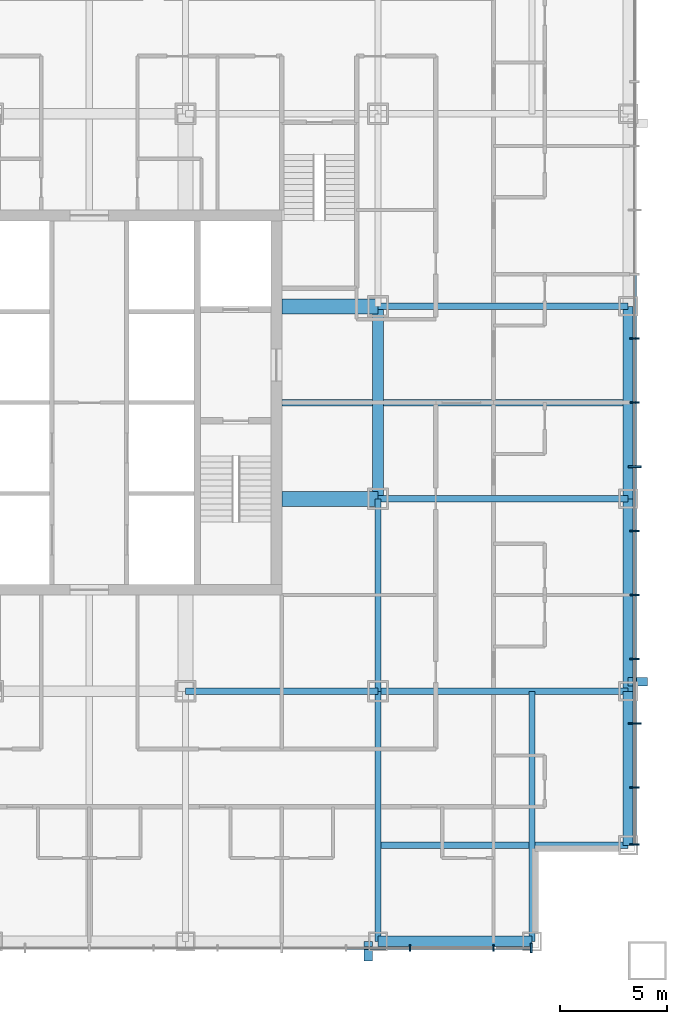
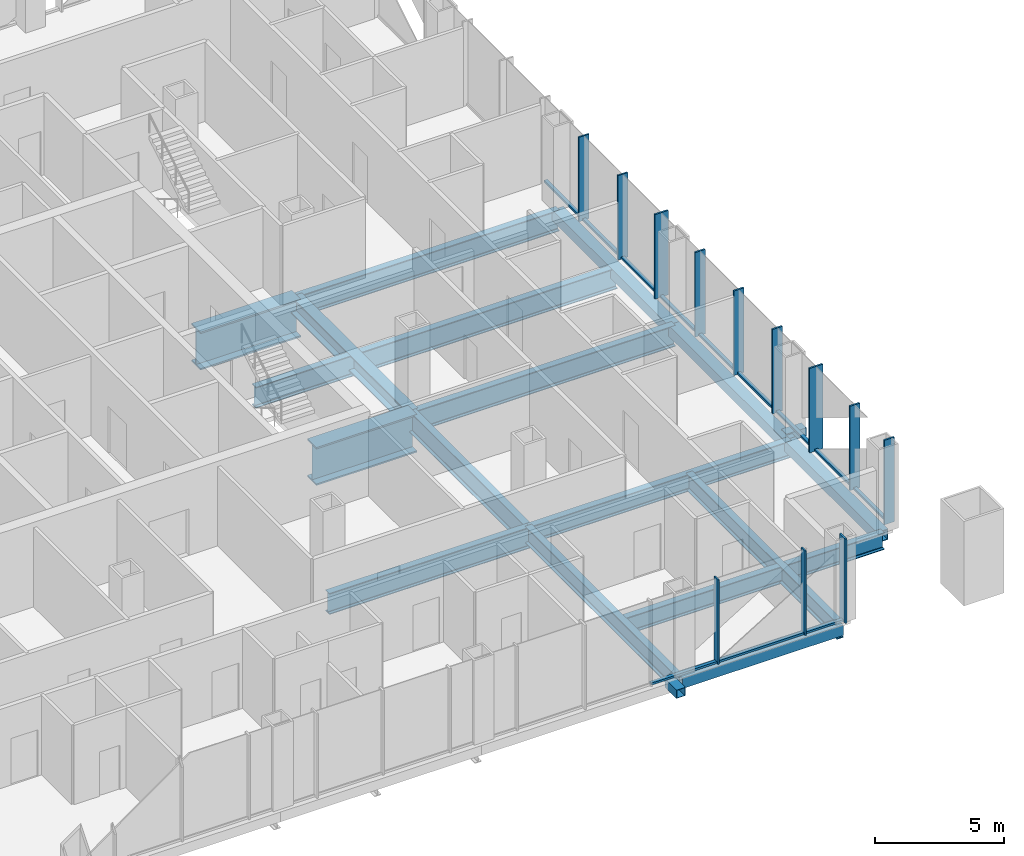
# One storey, part 3 of 17: 26 members, 16 beams, 2 elements without a shape of their own.
"""IFC4 building model written with IfcOpenShell, lengths in metres."""

from ifc_helpers import new_model, si_unit, direction, frame, origin, origin_2d, place, context, subcontext, project, spatial, rectangle, hollow_rectangle, i_section, extrude, material, layer, layer_set, material_profile, profile_set, type_object, element, aggregate, save


model = new_model("IFC4")

# Units and contexts
model_context = context("Model", 3, precision=1e-05, world=origin(), true_north=direction((0.0, 1.0)))
body_context = subcontext(model_context, "Body", "Model", "MODEL_VIEW")
ifc_project = project(units=[si_unit("LENGTHUNIT", "METRE"), si_unit("AREAUNIT", "SQUARE_METRE"), si_unit("VOLUMEUNIT", "CUBIC_METRE"), si_unit("PLANEANGLEUNIT", "RADIAN"), si_unit("MASSUNIT", "GRAM", prefix="KILO")], contexts=[model_context])

# Site, building, storey
site_placement = place(None, origin())
site = spatial("IfcSite", under=ifc_project, at=site_placement, CompositionType="ELEMENT")
building_placement = place(site_placement, origin())
building = spatial("IfcBuilding", under=site, at=building_placement, Name="Malebo Sky Hospital", CompositionType="ELEMENT")
storey_placement = place(building_placement, frame((0.0, 0.0, 55.0)))
storey = spatial("IfcBuildingStorey", under=building, at=storey_placement, Name="L12", CompositionType="ELEMENT", Elevation=55.0)

# Curtain wall, members
ifc_material_1 = material(Name="Anodised aluminium, natural silver", Category="aluminium")
ifc_layer_1 = layer(ifc_material_1, 0.25)
ifc_layer_set_1 = layer_set([ifc_layer_1], Name="WARD CURTAIN WALL NORTH AND SOUTH")
curtain_wall_type_1 = type_object("IfcCurtainWallType", Name="WARD CURTAIN WALL NORTH AND SOUTH", PredefinedType="NOTDEFINED", material=ifc_layer_set_1)
curtain_wall_1_placement = place(storey_placement, origin())
curtain_wall_1 = element("IfcCurtainWall", 1, at=curtain_wall_1_placement, inside=storey, type_object=curtain_wall_type_1, Name="NS curtain wall S", PredefinedType="NOTDEFINED")
ifc_material_profile_1 = material_profile(ifc_material_1, rectangle(XDim=0.14990234375, YDim=0.10009765625, at=origin_2d()), Name="ALUMINIUM TRANSOM 150x100")
ifc_profile_set_1 = profile_set([ifc_material_profile_1], Name="Anodised aluminium, natural silver")
member_type_1 = type_object("IfcMemberType", Name="ALUMINIUM TRANSOM 150x100", PredefinedType="USERDEFINED", material=ifc_profile_set_1)
member_1_placement = place(storey_placement, frame((80.625, 36.5, 0.050048828125), z_axis=(-1.0, 0.0, 0.0), x_axis=(0.0, -1.0, 0.0)))
member_1 = element("IfcMember", 2, at=member_1_placement, type_object=member_type_1, Name="Transom 1", ObjectType="TRANSOM", PredefinedType="USERDEFINED", context=body_context, shape_type="SweptSolid", body=[
    extrude(rectangle(XDim=0.14990234375, YDim=0.10009765625, at=origin_2d()), origin(), (0.0, 0.0, 1.0), 1.6875),
])
member_2_placement = place(storey_placement, frame((78.862548828125, 36.5, 0.050048828125), z_axis=(-1.0, 0.0, 0.0), x_axis=(0.0, -1.0, 0.0)))
member_2 = element("IfcMember", 3, at=member_2_placement, type_object=member_type_1, Name="Transom 2", ObjectType="TRANSOM", PredefinedType="USERDEFINED", context=body_context, shape_type="SweptSolid", body=[
    extrude(rectangle(XDim=0.14990234375, YDim=0.10009765625, at=origin_2d()), origin(), (0.0, 0.0, 1.0), 3.824951171875),
])
member_3_placement = place(storey_placement, frame((74.96240234375, 36.5, 0.050048828125), z_axis=(-1.0, 0.0, 0.0), x_axis=(0.0, -1.0, 0.0)))
member_3 = element("IfcMember", 4, at=member_3_placement, type_object=member_type_1, Name="Transom 3", ObjectType="TRANSOM", PredefinedType="USERDEFINED", context=body_context, shape_type="SweptSolid", body=[
    extrude(rectangle(XDim=0.14990234375, YDim=0.10009765625, at=origin_2d()), origin(), (0.0, 0.0, 1.0), 2.9248046875),
])

ifc_layer_2 = layer(ifc_material_1, 0.25)
ifc_layer_set_2 = layer_set([ifc_layer_2], Name="WARD CURTAIN WALL EAST AND WEST")
curtain_wall_type_2 = type_object("IfcCurtainWallType", Name="WARD CURTAIN WALL EAST AND WEST", PredefinedType="NOTDEFINED", material=ifc_layer_set_2)
curtain_wall_2_placement = place(storey_placement, origin())
curtain_wall_2 = element("IfcCurtainWall", 5, at=curtain_wall_2_placement, inside=storey, type_object=curtain_wall_type_2, Name="EW curtain wall E", PredefinedType="NOTDEFINED")
member_4_placement = place(storey_placement, frame((85.5, 67.96240234375, 0.050048828125), z_axis=(0.0, -1.0, 0.0), x_axis=(1.0, 0.0, 0.0)))
member_4 = element("IfcMember", 6, at=member_4_placement, type_object=member_type_1, Name="Transom 6", ObjectType="TRANSOM", PredefinedType="USERDEFINED", context=body_context, shape_type="SweptSolid", body=[
    extrude(rectangle(XDim=0.14990234375, YDim=0.10009765625, at=origin_2d()), origin(), (0.0, 0.0, 1.0), 2.9248046875),
])
member_5_placement = place(storey_placement, frame((85.5, 64.96240234375, 0.050048828125), z_axis=(0.0, -1.0, 0.0), x_axis=(1.0, 0.0, 0.0)))
member_5 = element("IfcMember", 7, at=member_5_placement, type_object=member_type_1, Name="Transom 7", ObjectType="TRANSOM", PredefinedType="USERDEFINED", context=body_context, shape_type="SweptSolid", body=[
    extrude(rectangle(XDim=0.14990234375, YDim=0.10009765625, at=origin_2d()), origin(), (0.0, 0.0, 1.0), 2.9248046875),
])
member_6_placement = place(storey_placement, frame((85.5, 61.96240234375, 0.050048828125), z_axis=(0.0, -1.0, 0.0), x_axis=(1.0, 0.0, 0.0)))
member_6 = element("IfcMember", 8, at=member_6_placement, type_object=member_type_1, Name="Transom 8", ObjectType="TRANSOM", PredefinedType="USERDEFINED", context=body_context, shape_type="SweptSolid", body=[
    extrude(rectangle(XDim=0.14990234375, YDim=0.10009765625, at=origin_2d()), origin(), (0.0, 0.0, 1.0), 2.9248046875),
])
member_7_placement = place(storey_placement, frame((85.5, 58.96240234375, 0.050048828125), z_axis=(0.0, -1.0, 0.0), x_axis=(1.0, 0.0, 0.0)))
member_7 = element("IfcMember", 9, at=member_7_placement, type_object=member_type_1, Name="Transom 9", ObjectType="TRANSOM", PredefinedType="USERDEFINED", context=body_context, shape_type="SweptSolid", body=[
    extrude(rectangle(XDim=0.14990234375, YDim=0.10009765625, at=origin_2d()), origin(), (0.0, 0.0, 1.0), 2.9248046875),
])
member_8_placement = place(storey_placement, frame((85.5, 55.96240234375, 0.050048828125), z_axis=(0.0, -1.0, 0.0), x_axis=(1.0, 0.0, 0.0)))
member_8 = element("IfcMember", 10, at=member_8_placement, type_object=member_type_1, Name="Transom 10", ObjectType="TRANSOM", PredefinedType="USERDEFINED", context=body_context, shape_type="SweptSolid", body=[
    extrude(rectangle(XDim=0.14990234375, YDim=0.10009765625, at=origin_2d()), origin(), (0.0, 0.0, 1.0), 2.9248046875),
])
member_9_placement = place(storey_placement, frame((85.5, 52.96240234375, 0.050048828125), z_axis=(0.0, -1.0, 0.0), x_axis=(1.0, 0.0, 0.0)))
member_9 = element("IfcMember", 11, at=member_9_placement, type_object=member_type_1, Name="Transom 11", ObjectType="TRANSOM", PredefinedType="USERDEFINED", context=body_context, shape_type="SweptSolid", body=[
    extrude(rectangle(XDim=0.14990234375, YDim=0.10009765625, at=origin_2d()), origin(), (0.0, 0.0, 1.0), 2.9248046875),
])
member_10_placement = place(storey_placement, frame((85.5, 49.96240234375, 0.050048828125), z_axis=(0.0, -1.0, 0.0), x_axis=(1.0, 0.0, 0.0)))
member_10 = element("IfcMember", 12, at=member_10_placement, type_object=member_type_1, Name="Transom 12", ObjectType="TRANSOM", PredefinedType="USERDEFINED", context=body_context, shape_type="SweptSolid", body=[
    extrude(rectangle(XDim=0.14990234375, YDim=0.10009765625, at=origin_2d()), origin(), (0.0, 0.0, 1.0), 2.9248046875),
])
member_11_placement = place(storey_placement, frame((85.5, 46.96240234375, 0.050048828125), z_axis=(0.0, -1.0, 0.0), x_axis=(1.0, 0.0, 0.0)))
member_11 = element("IfcMember", 13, at=member_11_placement, type_object=member_type_1, Name="Transom 13", ObjectType="TRANSOM", PredefinedType="USERDEFINED", context=body_context, shape_type="SweptSolid", body=[
    extrude(rectangle(XDim=0.14990234375, YDim=0.10009765625, at=origin_2d()), origin(), (0.0, 0.0, 1.0), 2.9248046875),
])
member_12_placement = place(storey_placement, frame((85.5, 43.96240234375, 0.050048828125), z_axis=(0.0, -1.0, 0.0), x_axis=(1.0, 0.0, 0.0)))
member_12 = element("IfcMember", 14, at=member_12_placement, type_object=member_type_1, Name="Transom 14", ObjectType="TRANSOM", PredefinedType="USERDEFINED", context=body_context, shape_type="SweptSolid", body=[
    extrude(rectangle(XDim=0.14990234375, YDim=0.10009765625, at=origin_2d()), origin(), (0.0, 0.0, 1.0), 2.58740234375),
])

# Members
ifc_material_2 = material(Name="Steel S355", Category="steel")
ifc_material_profile_2 = material_profile(ifc_material_2, hollow_rectangle(XDim=0.39990234375, YDim=0.39990234375, WallThickness=0.02001953125, at=origin_2d()), Name="SHS 400x20")
ifc_profile_set_2 = profile_set([ifc_material_profile_2], Name="Steel S355")
member_type_2 = type_object("IfcMemberType", Name="BRACE STRUT SHS 400x20", PredefinedType="STRUT", material=ifc_profile_set_2)
for number, where, z_axis, x_axis, name in (
    (15, (73.050048828125, 35.89990234375, -0.39990234375), (0.0, 1.0, 0.0), (-1.0, 0.0, 0.0), "Brace strut AS1 L12"),
    (16, (86.10009765625, 48.949951171875, -0.39990234375), (-1.0, 0.0, 0.0), (0.0, -1.0, 0.0), "Brace strut AE2 L12"),
):
    element("IfcMember", number, at=place(storey_placement, frame(where, z_axis=z_axis, x_axis=x_axis)), inside=storey, type_object=member_type_2, Name=name, PredefinedType="STRUT", context=body_context, shape_type="SweptSolid", body=[
        extrude(hollow_rectangle(XDim=0.39990234375, YDim=0.39990234375, WallThickness=0.02001953125, at=origin_2d()), origin(), (0.0, 0.0, 1.0), 0.900146484375),
    ])

# Member
ifc_material_profile_3 = material_profile(ifc_material_1, rectangle(XDim=0.074951171875, YDim=0.300048828125, at=origin_2d()), Name="CW1 ALUMINIUM FIN MULLION 75x300")
ifc_profile_set_3 = profile_set([ifc_material_profile_3], Name="Anodised aluminium, natural silver")
member_type_3 = type_object("IfcMemberType", Name="CW1 ALUMINIUM FIN MULLION 75x300", PredefinedType="MULLION", material=ifc_profile_set_3)
member_13_placement = place(storey_placement, frame((78.89990234375, 36.5, 0.0), z_axis=(0.0, 0.0, 1.0), x_axis=(-1.0, 0.0, 0.0)))
member_13 = element("IfcMember", 17, at=member_13_placement, type_object=member_type_3, Name="Fin mullion 2", PredefinedType="MULLION", context=body_context, shape_type="SweptSolid", body=[
    extrude(rectangle(XDim=0.074951171875, YDim=0.300048828125, at=origin_2d()), origin(), (0.0, 0.0, 1.0), 4.0),
])

member_14_placement = place(storey_placement, frame((75.0, 36.5, 0.0), z_axis=(0.0, 0.0, 1.0), x_axis=(-1.0, 0.0, 0.0)))
member_14 = element("IfcMember", 18, at=member_14_placement, type_object=member_type_3, Name="Fin mullion 3", PredefinedType="MULLION", context=body_context, shape_type="SweptSolid", body=[
    extrude(rectangle(XDim=0.074951171875, YDim=0.300048828125, at=origin_2d()), origin(), (0.0, 0.0, 1.0), 4.0),
])

ifc_material_profile_4 = material_profile(ifc_material_1, rectangle(XDim=0.074951171875, YDim=0.449951171875, at=origin_2d()), Name="CW1 ALUMINIUM FIN MULLION 75x450")
ifc_profile_set_4 = profile_set([ifc_material_profile_4], Name="Anodised aluminium, natural silver")
member_type_4 = type_object("IfcMemberType", Name="CW1 ALUMINIUM FIN MULLION 75x450", PredefinedType="MULLION", material=ifc_profile_set_4)
member_15_placement = place(storey_placement, frame((80.66259765625, 36.5, 0.0), z_axis=(0.0, 0.0, 1.0), x_axis=(-1.0, 0.0, 0.0)))
member_15 = element("IfcMember", 19, at=member_15_placement, type_object=member_type_4, Name="Fin mullion 1", PredefinedType="MULLION", context=body_context, shape_type="SweptSolid", body=[
    extrude(rectangle(XDim=0.074951171875, YDim=0.449951171875, at=origin_2d()), origin(), (0.0, 0.0, 1.0), 4.0),
])

aggregate(curtain_wall_1, [member_15, member_13, member_14, member_1, member_2, member_3])

ifc_material_profile_5 = material_profile(ifc_material_1, rectangle(XDim=0.074951171875, YDim=0.449951171875, at=origin_2d()), Name="CW2 ALUMINIUM FIN MULLION 75x450")
ifc_profile_set_5 = profile_set([ifc_material_profile_5], Name="Anodised aluminium, natural silver")
member_type_5 = type_object("IfcMemberType", Name="CW2 ALUMINIUM FIN MULLION 75x450", PredefinedType="MULLION", material=ifc_profile_set_5)
member_16_placement = place(storey_placement, frame((85.5, 65.0, 0.0), z_axis=(0.0, 0.0, 1.0), x_axis=(0.0, -1.0, 0.0)))
member_16 = element("IfcMember", 20, at=member_16_placement, type_object=member_type_5, Name="Fin mullion 7", PredefinedType="MULLION", context=body_context, shape_type="SweptSolid", body=[
    extrude(rectangle(XDim=0.074951171875, YDim=0.449951171875, at=origin_2d()), origin(), (0.0, 0.0, 1.0), 4.0),
])

member_17_placement = place(storey_placement, frame((85.5, 62.0, 0.0), z_axis=(0.0, 0.0, 1.0), x_axis=(0.0, -1.0, 0.0)))
member_17 = element("IfcMember", 21, at=member_17_placement, type_object=member_type_5, Name="Fin mullion 8", PredefinedType="MULLION", context=body_context, shape_type="SweptSolid", body=[
    extrude(rectangle(XDim=0.074951171875, YDim=0.449951171875, at=origin_2d()), origin(), (0.0, 0.0, 1.0), 4.0),
])

member_18_placement = place(storey_placement, frame((85.5, 56.0, 0.0), z_axis=(0.0, 0.0, 1.0), x_axis=(0.0, -1.0, 0.0)))
member_18 = element("IfcMember", 22, at=member_18_placement, type_object=member_type_5, Name="Fin mullion 10", PredefinedType="MULLION", context=body_context, shape_type="SweptSolid", body=[
    extrude(rectangle(XDim=0.074951171875, YDim=0.449951171875, at=origin_2d()), origin(), (0.0, 0.0, 1.0), 4.0),
])

member_19_placement = place(storey_placement, frame((85.5, 53.0, 0.0), z_axis=(0.0, 0.0, 1.0), x_axis=(0.0, -1.0, 0.0)))
member_19 = element("IfcMember", 23, at=member_19_placement, type_object=member_type_5, Name="Fin mullion 11", PredefinedType="MULLION", context=body_context, shape_type="SweptSolid", body=[
    extrude(rectangle(XDim=0.074951171875, YDim=0.449951171875, at=origin_2d()), origin(), (0.0, 0.0, 1.0), 4.0),
])

member_20_placement = place(storey_placement, frame((85.5, 50.0, 0.0), z_axis=(0.0, 0.0, 1.0), x_axis=(0.0, -1.0, 0.0)))
member_20 = element("IfcMember", 24, at=member_20_placement, type_object=member_type_5, Name="Fin mullion 12", PredefinedType="MULLION", context=body_context, shape_type="SweptSolid", body=[
    extrude(rectangle(XDim=0.074951171875, YDim=0.449951171875, at=origin_2d()), origin(), (0.0, 0.0, 1.0), 4.0),
])

member_21_placement = place(storey_placement, frame((85.5, 44.0, 0.0), z_axis=(0.0, 0.0, 1.0), x_axis=(0.0, -1.0, 0.0)))
member_21 = element("IfcMember", 25, at=member_21_placement, type_object=member_type_5, Name="Fin mullion 14", PredefinedType="MULLION", context=body_context, shape_type="SweptSolid", body=[
    extrude(rectangle(XDim=0.074951171875, YDim=0.449951171875, at=origin_2d()), origin(), (0.0, 0.0, 1.0), 4.0),
])

member_22_placement = place(storey_placement, frame((85.5, 41.33740234375, 0.0), z_axis=(0.0, 0.0, 1.0), x_axis=(0.0, -1.0, 0.0)))
member_22 = element("IfcMember", 26, at=member_22_placement, type_object=member_type_5, Name="Fin mullion 15", PredefinedType="MULLION", context=body_context, shape_type="SweptSolid", body=[
    extrude(rectangle(XDim=0.074951171875, YDim=0.449951171875, at=origin_2d()), origin(), (0.0, 0.0, 1.0), 4.0),
])

ifc_material_profile_6 = material_profile(ifc_material_1, rectangle(XDim=0.074951171875, YDim=0.60009765625, at=origin_2d()), Name="CW2 ALUMINIUM FIN MULLION 75x600")
ifc_profile_set_6 = profile_set([ifc_material_profile_6], Name="Anodised aluminium, natural silver")
member_type_6 = type_object("IfcMemberType", Name="CW2 ALUMINIUM FIN MULLION 75x600", PredefinedType="MULLION", material=ifc_profile_set_6)
member_23_placement = place(storey_placement, frame((85.5, 59.0, 0.0), z_axis=(0.0, 0.0, 1.0), x_axis=(0.0, -1.0, 0.0)))
member_23 = element("IfcMember", 27, at=member_23_placement, type_object=member_type_6, Name="Fin mullion 9", PredefinedType="MULLION", context=body_context, shape_type="SweptSolid", body=[
    extrude(rectangle(XDim=0.074951171875, YDim=0.60009765625, at=origin_2d()), origin(), (0.0, 0.0, 1.0), 4.0),
])

member_24_placement = place(storey_placement, frame((85.5, 47.0, 0.0), z_axis=(0.0, 0.0, 1.0), x_axis=(0.0, -1.0, 0.0)))
member_24 = element("IfcMember", 28, at=member_24_placement, type_object=member_type_6, Name="Fin mullion 13", PredefinedType="MULLION", context=body_context, shape_type="SweptSolid", body=[
    extrude(rectangle(XDim=0.074951171875, YDim=0.60009765625, at=origin_2d()), origin(), (0.0, 0.0, 1.0), 4.0),
])

aggregate(curtain_wall_2, [member_16, member_17, member_23, member_18, member_19, member_20, member_24, member_21, member_22, member_4, member_5, member_6, member_7, member_8, member_9, member_10, member_11, member_12])

# Beams
ifc_material_3 = material(Name="Steel S460", Category="steel")
ifc_material_profile_7 = material_profile(ifc_material_3, hollow_rectangle(XDim=0.5, YDim=0.5, WallThickness=0.030029296875, at=origin_2d()), Name="BOX 500x500x30")
ifc_profile_set_7 = profile_set([ifc_material_profile_7], Name="Steel S460")
beam_type_1 = type_object("IfcBeamType", Name="EDGE BEAM BOX 500x500x30", PredefinedType="BEAM", material=ifc_profile_set_7)
beam_1_placement = place(storey_placement, frame((85.199951171875, 41.300048828125, -0.5), z_axis=(0.0, 1.0, 0.0), x_axis=(-1.0, 0.0, 0.0)))
element("IfcBeam", 29, at=beam_1_placement, inside=storey, type_object=beam_type_1, Name="Beam 029 L12", PredefinedType="BEAM", context=body_context, shape_type="SweptSolid", body=[
    extrude(hollow_rectangle(XDim=0.5, YDim=0.5, WallThickness=0.030029296875, at=origin_2d()), origin(), (0.0, 0.0, 1.0), 7.199951171875),
])
for number, where, z_axis, x_axis, name in (
    (30, (85.199951171875, 48.5, -0.5), (0.0, 1.0, 0.0), (-1.0, 0.0, 0.0), "Beam 030 L12"),
    (31, (85.199951171875, 57.5, -0.5), (0.0, 1.0, 0.0), (-1.0, 0.0, 0.0), "Beam 031 L12"),
):
    element("IfcBeam", number, at=place(storey_placement, frame(where, z_axis=z_axis, x_axis=x_axis)), inside=storey, type_object=beam_type_1, Name=name, PredefinedType="BEAM", context=body_context, shape_type="SweptSolid", body=[
        extrude(hollow_rectangle(XDim=0.5, YDim=0.5, WallThickness=0.030029296875, at=origin_2d()), origin(), (0.0, 0.0, 1.0), 9.0),
    ])
beam_2_placement = place(storey_placement, frame((73.5, 36.800048828125, -0.5), z_axis=(1.0, 0.0, 0.0), x_axis=(0.0, 1.0, 0.0)))
element("IfcBeam", 32, at=beam_2_placement, inside=storey, type_object=beam_type_1, Name="Beam 038 L12", PredefinedType="BEAM", context=body_context, shape_type="SweptSolid", body=[
    extrude(hollow_rectangle(XDim=0.5, YDim=0.5, WallThickness=0.030029296875, at=origin_2d()), origin(), (0.0, 0.0, 1.0), 7.199951171875),
])
ifc_material_profile_8 = material_profile(ifc_material_2, i_section(OverallWidth=0.300048828125, OverallDepth=1.0, WebThickness=0.01904296875, FlangeThickness=0.035888671875, FilletRadius=0.030029296875, at=origin_2d()), Name="HEB 1000")
ifc_profile_set_8 = profile_set([ifc_material_profile_8], Name="Steel S355")
beam_type_2 = type_object("IfcBeamType", Name="FLOOR BEAM HEB 1000", PredefinedType="BEAM", material=ifc_profile_set_8)
for number, where, z_axis, x_axis, name in (
    (33, (73.5, 48.5, -0.75), (0.0, 1.0, 0.0), (-1.0, 0.0, 0.0), "Beam 023 L12"),
    (34, (64.5, 48.5, -0.75), (1.0, 0.0, 0.0), (0.0, 1.0, 0.0), "Beam 044 L12"),
):
    element("IfcBeam", number, at=place(storey_placement, frame(where, z_axis=z_axis, x_axis=x_axis)), inside=storey, type_object=beam_type_2, Name=name, PredefinedType="BEAM", context=body_context, shape_type="SweptSolid", body=[
        extrude(i_section(OverallWidth=0.300048828125, OverallDepth=1.0, WebThickness=0.01904296875, FlangeThickness=0.035888671875, FilletRadius=0.030029296875, at=origin_2d()), origin(), (0.0, 0.0, 1.0), 9.0),
    ])
beam_3_placement = place(storey_placement, frame((73.5, 57.5, -0.75), z_axis=(1.0, 0.0, 0.0), x_axis=(0.0, 1.0, 0.0)))
element("IfcBeam", 35, at=beam_3_placement, inside=storey, type_object=beam_type_2, Name="Beam 049 L12", PredefinedType="BEAM", context=body_context, shape_type="SweptSolid", body=[
    extrude(i_section(OverallWidth=0.300048828125, OverallDepth=1.0, WebThickness=0.01904296875, FlangeThickness=0.035888671875, FilletRadius=0.030029296875, at=origin_2d()), origin(), (0.0, 0.0, 1.0), 11.699951171875),
])
beam_4_placement = place(storey_placement, frame((69.0, 62.0, -0.75), z_axis=(1.0, 0.0, 0.0), x_axis=(0.0, 1.0, 0.0)))
element("IfcBeam", 36, at=beam_4_placement, inside=storey, type_object=beam_type_2, Name="Beam 051 L12", PredefinedType="BEAM", context=body_context, shape_type="SweptSolid", body=[
    extrude(i_section(OverallWidth=0.300048828125, OverallDepth=1.0, WebThickness=0.01904296875, FlangeThickness=0.035888671875, FilletRadius=0.030029296875, at=origin_2d()), origin(), (0.0, 0.0, 1.0), 16.199951171875),
])
beam_5_placement = place(storey_placement, frame((73.5, 66.5, -0.75), z_axis=(1.0, 0.0, 0.0), x_axis=(0.0, 1.0, 0.0)))
element("IfcBeam", 37, at=beam_5_placement, inside=storey, type_object=beam_type_2, Name="Beam 055 L12", PredefinedType="BEAM", context=body_context, shape_type="SweptSolid", body=[
    extrude(i_section(OverallWidth=0.300048828125, OverallDepth=1.0, WebThickness=0.01904296875, FlangeThickness=0.035888671875, FilletRadius=0.030029296875, at=origin_2d()), origin(), (0.0, 0.0, 1.0), 11.699951171875),
])
ifc_material_profile_9 = material_profile(ifc_material_2, i_section(OverallWidth=0.300048828125, OverallDepth=0.800048828125, WebThickness=0.017578125, FlangeThickness=0.032958984375, FilletRadius=0.030029296875, at=origin_2d()), Name="HEB 800")
ifc_profile_set_9 = profile_set([ifc_material_profile_9], Name="Steel S355")
beam_type_3 = type_object("IfcBeamType", Name="FLOOR BEAM HEB 800", PredefinedType="BEAM", material=ifc_profile_set_9)
for number, where, z_axis, x_axis, name in (
    (38, (80.699951171875, 36.800048828125, -0.64990234375), (0.0, 1.0, 0.0), (-1.0, 0.0, 0.0), "Beam 027 L12"),
    (39, (73.5, 41.300048828125, -0.64990234375), (1.0, 0.0, 0.0), (0.0, 1.0, 0.0), "Beam 040 L12"),
):
    element("IfcBeam", number, at=place(storey_placement, frame(where, z_axis=z_axis, x_axis=x_axis)), inside=storey, type_object=beam_type_3, Name=name, PredefinedType="BEAM", context=body_context, shape_type="SweptSolid", body=[
        extrude(i_section(OverallWidth=0.300048828125, OverallDepth=0.800048828125, WebThickness=0.017578125, FlangeThickness=0.032958984375, FilletRadius=0.030029296875, at=origin_2d()), origin(), (0.0, 0.0, 1.0), 11.699951171875),
    ])
ifc_material_profile_10 = material_profile(ifc_material_2, i_section(OverallWidth=0.699951171875, OverallDepth=1.800048828125, WebThickness=0.034912109375, FlangeThickness=0.070068359375, at=origin_2d()), Name="PG 1800x700x35x70")
ifc_profile_set_10 = profile_set([ifc_material_profile_10], Name="Steel S355")
beam_type_4 = type_object("IfcBeamType", Name="FLOOR BEAM PG 1800x700x35x70", PredefinedType="BEAM", material=ifc_profile_set_10)
for number, where, z_axis, x_axis, name in (
    (40, (69.0, 57.5, -1.14990234375), (1.0, 0.0, 0.0), (0.0, 1.0, 0.0), "Beam 048 L12"),
    (41, (69.0, 66.5, -1.14990234375), (1.0, 0.0, 0.0), (0.0, 1.0, 0.0), "Beam 054 L12"),
):
    element("IfcBeam", number, at=place(storey_placement, frame(where, z_axis=z_axis, x_axis=x_axis)), inside=storey, type_object=beam_type_4, Name=name, PredefinedType="BEAM", context=body_context, shape_type="SweptSolid", body=[
        extrude(i_section(OverallWidth=0.699951171875, OverallDepth=1.800048828125, WebThickness=0.034912109375, FlangeThickness=0.070068359375, at=origin_2d()), origin(), (0.0, 0.0, 1.0), 4.5),
    ])
ifc_material_profile_11 = material_profile(ifc_material_2, i_section(OverallWidth=0.300048828125, OverallDepth=0.800048828125, WebThickness=0.017578125, FlangeThickness=0.032958984375, FilletRadius=0.030029296875, at=origin_2d()), Name="HEB 800")
ifc_profile_set_11 = profile_set([ifc_material_profile_11], Name="Steel S355")
beam_type_5 = type_object("IfcBeamType", Name="FLOOR GIRDER HEB 800", PredefinedType="BEAM", material=ifc_profile_set_11)
for number, where, z_axis, x_axis, name in (
    (42, (73.5, 36.800048828125, -0.64990234375), (0.0, 1.0, 0.0), (-1.0, 0.0, 0.0), "Beam 022 L12"),
    (43, (73.5, 48.5, -0.64990234375), (1.0, 0.0, 0.0), (0.0, 1.0, 0.0), "Beam 045 L12"),
):
    element("IfcBeam", number, at=place(storey_placement, frame(where, z_axis=z_axis, x_axis=x_axis)), inside=storey, type_object=beam_type_5, Name=name, PredefinedType="BEAM", context=body_context, shape_type="SweptSolid", body=[
        extrude(i_section(OverallWidth=0.300048828125, OverallDepth=0.800048828125, WebThickness=0.017578125, FlangeThickness=0.032958984375, FilletRadius=0.030029296875, at=origin_2d()), origin(), (0.0, 0.0, 1.0), 11.699951171875),
    ])
ifc_material_profile_12 = material_profile(ifc_material_2, i_section(OverallWidth=0.5, OverallDepth=0.800048828125, WebThickness=0.030029296875, FlangeThickness=0.050048828125, at=origin_2d()), Name="PG 800x500x30x50")
ifc_profile_set_12 = profile_set([ifc_material_profile_12], Name="Steel S355")
beam_type_6 = type_object("IfcBeamType", Name="RING GIRDER PG 800x500x30x50", PredefinedType="BEAM", material=ifc_profile_set_12)
beam_6_placement = place(storey_placement, frame((73.5, 57.5, -0.64990234375), z_axis=(0.0, 1.0, 0.0), x_axis=(-1.0, 0.0, 0.0)))
element("IfcBeam", 44, at=beam_6_placement, inside=storey, type_object=beam_type_6, Name="Beam 024 L12", PredefinedType="BEAM", context=body_context, shape_type="SweptSolid", body=[
    extrude(i_section(OverallWidth=0.5, OverallDepth=0.800048828125, WebThickness=0.030029296875, FlangeThickness=0.050048828125, at=origin_2d()), origin(), (0.0, 0.0, 1.0), 9.0),
])

save(model, "model.ifc")
